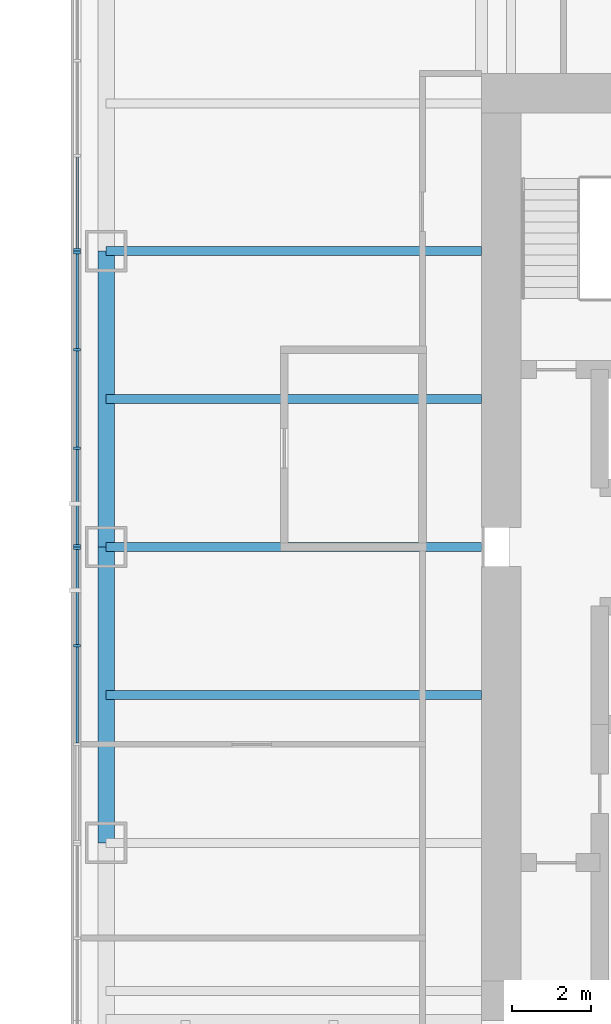
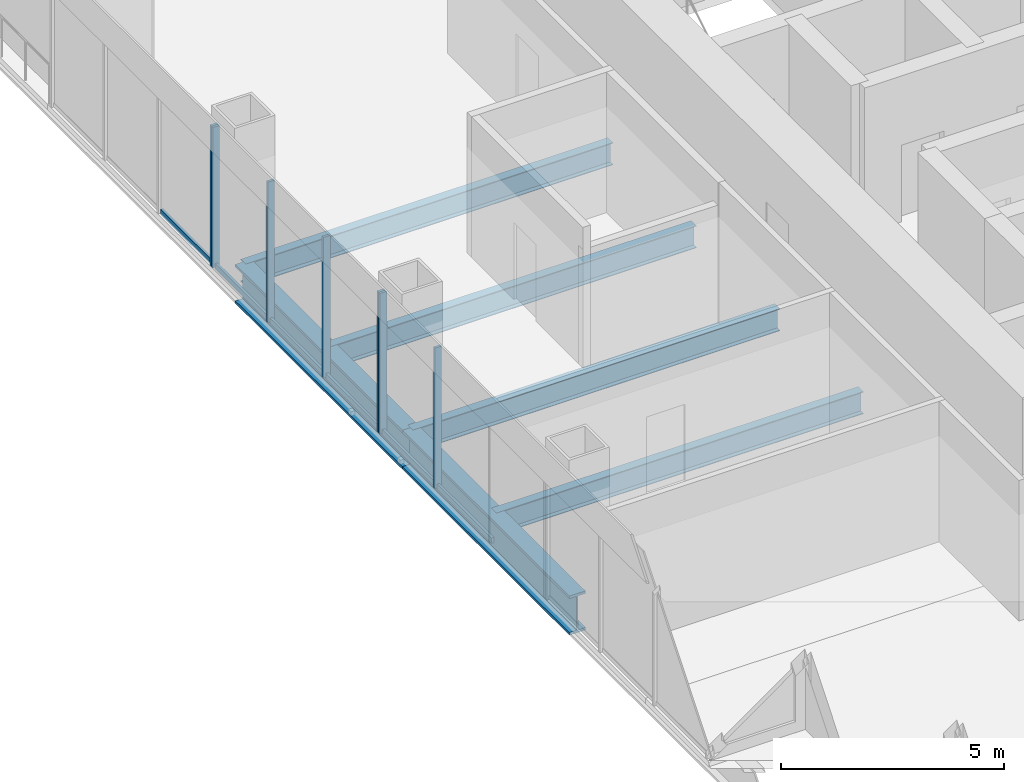
# One storey, part 3 of 13: 13 members, 6 beams, 3 elements without a shape of their own.
"""IFC4 building model written with IfcOpenShell, lengths in metres."""

from ifc_helpers import new_model, si_unit, direction, frame, origin, origin_2d, place, context, subcontext, project, spatial, rectangle, i_section, extrude, material, material_profile, profile_set, type_object, element, aggregate, save


model = new_model("IFC4")

# Units and contexts
model_context = context("Model", 3, precision=1e-05, world=origin(), true_north=direction((0.0, 1.0)))
body_context = subcontext(model_context, "Body", "Model", "MODEL_VIEW")
ifc_project = project(units=[si_unit("LENGTHUNIT", "METRE"), si_unit("AREAUNIT", "SQUARE_METRE"), si_unit("VOLUMEUNIT", "CUBIC_METRE"), si_unit("PLANEANGLEUNIT", "RADIAN"), si_unit("MASSUNIT", "GRAM", prefix="KILO")], contexts=[model_context])

# Site, building, storey
site_placement = place(None, origin())
site = spatial("IfcSite", under=ifc_project, at=site_placement, CompositionType="ELEMENT")
building_placement = place(site_placement, origin())
building = spatial("IfcBuilding", under=site, at=building_placement, Name="Tarangal Relay Tower", CompositionType="ELEMENT")
storey_placement = place(building_placement, frame((0.0, 0.0, 197.89990234375)))
storey = spatial("IfcBuildingStorey", under=building, at=storey_placement, Name="L41", CompositionType="ELEMENT", Elevation=197.89990234375)

# Beams
ifc_material_1 = material(Name="Steel ASTM A992", Category="steel")
ifc_material_profile_1 = material_profile(ifc_material_1, i_section(OverallWidth=0.41650390625, OverallDepth=1.0693359375, WebThickness=0.0390625, FlangeThickness=0.070068359375, at=origin_2d()), Name="W40X503")
ifc_profile_set_1 = profile_set([ifc_material_profile_1], Name="Steel ASTM A992")
beam_type_1 = type_object("IfcBeamType", Name="Edge girder W40X503", PredefinedType="SPANDREL", material=ifc_profile_set_1)
for number, where, z_axis, x_axis, name in (
    (1, (-21.514892578125, -7.5, -0.6845703125), (0.0, 1.0, 0.0), (-1.0, 0.0, 0.0), "Edge girder EG8 W L41"),
    (2, (-21.514892578125, 0.0, -0.6845703125), (0.0, 1.0, 0.0), (-1.0, 0.0, 0.0), "Edge girder EG8 W L41"),
):
    element("IfcBeam", number, at=place(storey_placement, frame(where, z_axis=z_axis, x_axis=x_axis)), inside=storey, type_object=beam_type_1, Name=name, PredefinedType="SPANDREL", context=body_context, shape_type="SweptSolid", body=[
        extrude(i_section(OverallWidth=0.41650390625, OverallDepth=1.0693359375, WebThickness=0.0390625, FlangeThickness=0.070068359375, at=origin_2d()), origin(), (0.0, 0.0, 1.0), 7.5),
    ])
ifc_material_profile_2 = material_profile(ifc_material_1, i_section(OverallWidth=0.22900390625, OverallDepth=0.612060546875, WebThickness=0.011962890625, FlangeThickness=0.01953125, at=origin_2d()), Name="W24X84")
ifc_profile_set_2 = profile_set([ifc_material_profile_2], Name="Steel ASTM A992")
beam_type_2 = type_object("IfcBeamType", Name="Floor beam W24X84", PredefinedType="BEAM", material=ifc_profile_set_2)
for number, where, z_axis, x_axis, name in (
    (3, (-12.0, -3.75, -0.455810546875), (-1.0, 0.0, 0.0), (0.0, -1.0, 0.0), "Floor beam RB12 W L41"),
    (4, (-12.0, 0.0, -0.455810546875), (-1.0, 0.0, 0.0), (0.0, -1.0, 0.0), "Floor beam RB12 W L41"),
    (5, (-12.0, 3.75, -0.455810546875), (-1.0, 0.0, 0.0), (0.0, -1.0, 0.0), "Floor beam RB12 W L41"),
    (6, (-12.0, 7.5, -0.455810546875), (-1.0, 0.0, 0.0), (0.0, -1.0, 0.0), "Floor beam RB12 W L41"),
):
    element("IfcBeam", number, at=place(storey_placement, frame(where, z_axis=z_axis, x_axis=x_axis)), inside=storey, type_object=beam_type_2, Name=name, PredefinedType="BEAM", context=body_context, shape_type="SweptSolid", body=[
        extrude(i_section(OverallWidth=0.22900390625, OverallDepth=0.612060546875, WebThickness=0.011962890625, FlangeThickness=0.01953125, at=origin_2d()), origin(), (0.0, 0.0, 1.0), 9.514892578125),
    ])

# Curtain wall, member
ifc_material_2 = material(Name="Unitised curtain wall, dark glass and black aluminium", Category="aluminium")
curtain_wall_type_1 = type_object("IfcCurtainWallType", Name="Curtain wall CW-A", PredefinedType="USERDEFINED", material=ifc_material_2)
curtain_wall_1_placement = place(storey_placement, origin())
curtain_wall_1 = element("IfcCurtainWall", 7, at=curtain_wall_1_placement, inside=storey, type_object=curtain_wall_type_1, Name="Curtain wall CW-A W facade L41", ObjectType="UNITISED CURTAIN WALL", PredefinedType="USERDEFINED")
ifc_material_3 = material(Name="Black anodised aluminium mullion", Category="aluminium")
ifc_material_profile_3 = material_profile(ifc_material_3, rectangle(XDim=0.175048828125, YDim=0.06494140625, at=origin_2d()), Name="CW-AM 65X175")
ifc_profile_set_3 = profile_set([ifc_material_profile_3], Name="Black anodised aluminium mullion")
member_type_1 = type_object("IfcMemberType", Name="Mullion CW-A 65 x 175", PredefinedType="MULLION", material=ifc_profile_set_3)
member_1_placement = place(storey_placement, frame((-22.25, 7.532470703125, 0.0), z_axis=(0.0, 0.0, 1.0), x_axis=(-1.0, 0.0, 0.0)))
member_1 = element("IfcMember", 8, at=member_1_placement, type_object=member_type_1, Name="CW-A mullion 1", PredefinedType="MULLION", context=body_context, shape_type="SweptSolid", body=[
    extrude(rectangle(XDim=0.175048828125, YDim=0.06494140625, at=origin_2d()), origin(), (0.0, 0.0, 1.0), 3.85009765625),
])

# Curtain wall, members
ifc_material_4 = material(Name="Unitised curtain wall frame, black aluminium, with metal clad infill walls", Category="aluminium")
curtain_wall_type_2 = type_object("IfcCurtainWallType", Name="Curtain wall CW-AO", PredefinedType="USERDEFINED", material=ifc_material_4)
curtain_wall_2_placement = place(storey_placement, origin())
curtain_wall_2 = element("IfcCurtainWall", 9, at=curtain_wall_2_placement, inside=storey, type_object=curtain_wall_type_2, Name="Curtain wall CW-AO W facade L41", ObjectType="UNITISED CURTAIN WALL", PredefinedType="USERDEFINED")
ifc_material_profile_4 = material_profile(ifc_material_3, rectangle(XDim=0.175048828125, YDim=0.06494140625, at=origin_2d()), Name="CW-AOM 65X175")
ifc_profile_set_4 = profile_set([ifc_material_profile_4], Name="Black anodised aluminium mullion")
member_type_2 = type_object("IfcMemberType", Name="Mullion CW-AO 65 x 175", PredefinedType="MULLION", material=ifc_profile_set_4)
member_2_placement = place(storey_placement, frame((-22.25, -2.5, 0.0), z_axis=(0.0, 0.0, 1.0), x_axis=(-1.0, 0.0, 0.0)))
member_2 = element("IfcMember", 10, at=member_2_placement, type_object=member_type_2, Name="CW-AO mullion 3", PredefinedType="MULLION", context=body_context, shape_type="SweptSolid", body=[
    extrude(rectangle(XDim=0.175048828125, YDim=0.06494140625, at=origin_2d()), origin(), (0.0, 0.0, 1.0), 3.85009765625),
])
member_3_placement = place(storey_placement, frame((-22.25, -0.032470703125, 0.0), z_axis=(0.0, 0.0, 1.0), x_axis=(-1.0, 0.0, 0.0)))
member_3 = element("IfcMember", 11, at=member_3_placement, type_object=member_type_2, Name="CW-AO mullion 4", PredefinedType="MULLION", context=body_context, shape_type="SweptSolid", body=[
    extrude(rectangle(XDim=0.175048828125, YDim=0.06494140625, at=origin_2d()), origin(), (0.0, 0.0, 1.0), 3.85009765625),
])

curtain_wall_3_placement = place(storey_placement, origin())
curtain_wall_3 = element("IfcCurtainWall", 12, at=curtain_wall_3_placement, inside=storey, type_object=curtain_wall_type_2, Name="Curtain wall CW-AO W facade L41", ObjectType="UNITISED CURTAIN WALL", PredefinedType="USERDEFINED")
member_4_placement = place(storey_placement, frame((-22.25, 0.032470703125, 0.0), z_axis=(0.0, 0.0, 1.0), x_axis=(-1.0, 0.0, 0.0)))
member_4 = element("IfcMember", 13, at=member_4_placement, type_object=member_type_2, Name="CW-AO mullion 1", PredefinedType="MULLION", context=body_context, shape_type="SweptSolid", body=[
    extrude(rectangle(XDim=0.175048828125, YDim=0.06494140625, at=origin_2d()), origin(), (0.0, 0.0, 1.0), 3.85009765625),
])
member_5_placement = place(storey_placement, frame((-22.25, 2.5, 0.0), z_axis=(0.0, 0.0, 1.0), x_axis=(-1.0, 0.0, 0.0)))
member_5 = element("IfcMember", 14, at=member_5_placement, type_object=member_type_2, Name="CW-AO mullion 2", PredefinedType="MULLION", context=body_context, shape_type="SweptSolid", body=[
    extrude(rectangle(XDim=0.175048828125, YDim=0.06494140625, at=origin_2d()), origin(), (0.0, 0.0, 1.0), 3.85009765625),
])
member_6_placement = place(storey_placement, frame((-22.25, 5.0, 0.0), z_axis=(0.0, 0.0, 1.0), x_axis=(-1.0, 0.0, 0.0)))
member_6 = element("IfcMember", 15, at=member_6_placement, type_object=member_type_2, Name="CW-AO mullion 3", PredefinedType="MULLION", context=body_context, shape_type="SweptSolid", body=[
    extrude(rectangle(XDim=0.175048828125, YDim=0.06494140625, at=origin_2d()), origin(), (0.0, 0.0, 1.0), 3.85009765625),
])
member_7_placement = place(storey_placement, frame((-22.25, 7.467529296875, 0.0), z_axis=(0.0, 0.0, 1.0), x_axis=(-1.0, 0.0, 0.0)))
member_7 = element("IfcMember", 16, at=member_7_placement, type_object=member_type_2, Name="CW-AO mullion 4", PredefinedType="MULLION", context=body_context, shape_type="SweptSolid", body=[
    extrude(rectangle(XDim=0.175048828125, YDim=0.06494140625, at=origin_2d()), origin(), (0.0, 0.0, 1.0), 3.85009765625),
])

# Member
ifc_material_5 = material(Name="Black anodised aluminium transom", Category="aluminium")
ifc_material_profile_5 = material_profile(ifc_material_5, rectangle(XDim=0.06494140625, YDim=0.14990234375, at=origin_2d()), Name="CW-AT 65X150")
ifc_profile_set_5 = profile_set([ifc_material_profile_5], Name="Black anodised aluminium transom")
member_type_3 = type_object("IfcMemberType", Name="Transom CW-A 65 x 150", PredefinedType="USERDEFINED", material=ifc_profile_set_5)
member_8_placement = place(storey_placement, frame((-22.25, 7.56494140625, 0.03271484375), z_axis=(0.0, 1.0, 0.0), x_axis=(-1.0, 0.0, 0.0)))
member_8 = element("IfcMember", 17, at=member_8_placement, type_object=member_type_3, Name="CW-A transom 1.1", ObjectType="TRANSOM", PredefinedType="USERDEFINED", context=body_context, shape_type="SweptSolid", body=[
    extrude(rectangle(XDim=0.06494140625, YDim=0.14990234375, at=origin_2d()), origin(), (0.0, 0.0, 1.0), 2.3193359375),
])

aggregate(curtain_wall_1, [member_1, member_8])

ifc_material_profile_6 = material_profile(ifc_material_5, rectangle(XDim=0.06494140625, YDim=0.14990234375, at=origin_2d()), Name="CW-AOT 65X150")
ifc_profile_set_6 = profile_set([ifc_material_profile_6], Name="Black anodised aluminium transom")
member_type_4 = type_object("IfcMemberType", Name="Transom CW-AO 65 x 150", PredefinedType="USERDEFINED", material=ifc_profile_set_6)
member_9_placement = place(storey_placement, frame((-22.25, -4.967529296875, 0.03271484375), z_axis=(0.0, 1.0, 0.0), x_axis=(-1.0, 0.0, 0.0)))
member_9 = element("IfcMember", 18, at=member_9_placement, type_object=member_type_4, Name="CW-AO transom 2.1", ObjectType="TRANSOM", PredefinedType="USERDEFINED", context=body_context, shape_type="SweptSolid", body=[
    extrude(rectangle(XDim=0.06494140625, YDim=0.14990234375, at=origin_2d()), origin(), (0.0, 0.0, 1.0), 2.43505859375),
])

member_10_placement = place(storey_placement, frame((-22.25, -2.467529296875, 0.03271484375), z_axis=(0.0, 1.0, 0.0), x_axis=(-1.0, 0.0, 0.0)))
member_10 = element("IfcMember", 19, at=member_10_placement, type_object=member_type_4, Name="CW-AO transom 3.1", ObjectType="TRANSOM", PredefinedType="USERDEFINED", context=body_context, shape_type="SweptSolid", body=[
    extrude(rectangle(XDim=0.06494140625, YDim=0.14990234375, at=origin_2d()), origin(), (0.0, 0.0, 1.0), 2.402587890625),
])

aggregate(curtain_wall_2, [member_2, member_3, member_9, member_10])

member_11_placement = place(storey_placement, frame((-22.25, 0.06494140625, 0.03271484375), z_axis=(0.0, 1.0, 0.0), x_axis=(-1.0, 0.0, 0.0)))
member_11 = element("IfcMember", 20, at=member_11_placement, type_object=member_type_4, Name="CW-AO transom 1.1", ObjectType="TRANSOM", PredefinedType="USERDEFINED", context=body_context, shape_type="SweptSolid", body=[
    extrude(rectangle(XDim=0.06494140625, YDim=0.14990234375, at=origin_2d()), origin(), (0.0, 0.0, 1.0), 2.402587890625),
])

member_12_placement = place(storey_placement, frame((-22.25, 2.532470703125, 0.03271484375), z_axis=(0.0, 1.0, 0.0), x_axis=(-1.0, 0.0, 0.0)))
member_12 = element("IfcMember", 21, at=member_12_placement, type_object=member_type_4, Name="CW-AO transom 2.1", ObjectType="TRANSOM", PredefinedType="USERDEFINED", context=body_context, shape_type="SweptSolid", body=[
    extrude(rectangle(XDim=0.06494140625, YDim=0.14990234375, at=origin_2d()), origin(), (0.0, 0.0, 1.0), 2.43505859375),
])

member_13_placement = place(storey_placement, frame((-22.25, 5.032470703125, 0.03271484375), z_axis=(0.0, 1.0, 0.0), x_axis=(-1.0, 0.0, 0.0)))
member_13 = element("IfcMember", 22, at=member_13_placement, type_object=member_type_4, Name="CW-AO transom 3.1", ObjectType="TRANSOM", PredefinedType="USERDEFINED", context=body_context, shape_type="SweptSolid", body=[
    extrude(rectangle(XDim=0.06494140625, YDim=0.14990234375, at=origin_2d()), origin(), (0.0, 0.0, 1.0), 2.402587890625),
])

aggregate(curtain_wall_3, [member_4, member_5, member_6, member_7, member_11, member_12, member_13])

save(model, "model.ifc")
